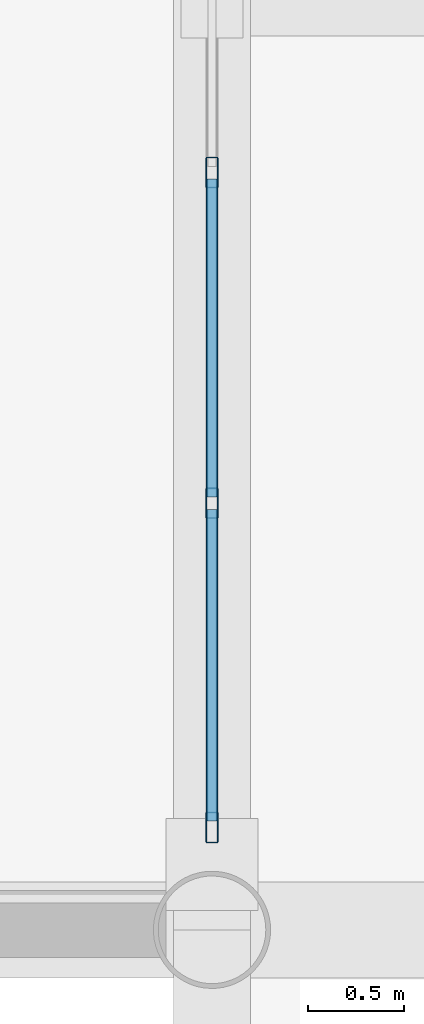
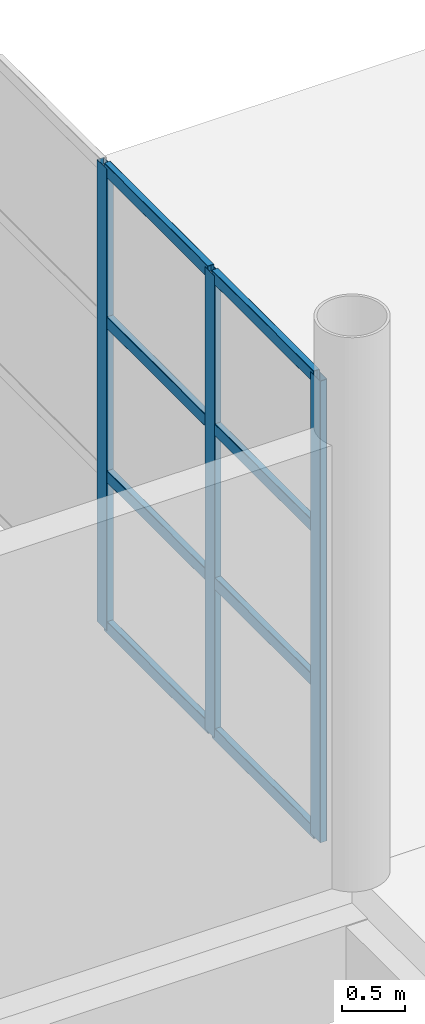
# One storey, part 76 of 175: 11 members, 1 element without a shape of its own.
"""IFC4 building model written with IfcOpenShell, lengths in metres."""

from ifc_helpers import new_model, si_unit, direction, frame, origin, origin_2d, place, context, subcontext, project, spatial, hollow_rectangle, extrude, material, material_profile, profile_set, type_object, element, aggregate, save


model = new_model("IFC4")

# Units and contexts
model_context = context("Model", 3, precision=1e-05, world=origin(), true_north=direction((0.0, 1.0)))
body_context = subcontext(model_context, "Body", "Model", "MODEL_VIEW")
ifc_project = project(units=[si_unit("LENGTHUNIT", "METRE"), si_unit("AREAUNIT", "SQUARE_METRE"), si_unit("VOLUMEUNIT", "CUBIC_METRE"), si_unit("PLANEANGLEUNIT", "RADIAN"), si_unit("MASSUNIT", "GRAM", prefix="KILO")], contexts=[model_context])

# Site, building, storey
site_placement = place(None, origin())
site = spatial("IfcSite", under=ifc_project, at=site_placement, CompositionType="ELEMENT")
building_placement = place(site_placement, origin())
building = spatial("IfcBuilding", under=site, at=building_placement, Name="Brelvane Convention Centre", CompositionType="ELEMENT")
storey_placement = place(building_placement, frame((0.0, 0.0, 5.39990234375)))
storey = spatial("IfcBuildingStorey", under=building, at=storey_placement, Name="L01", CompositionType="ELEMENT", Elevation=5.39990234375)

# Curtain wall, members
ifc_material_1 = material(Name="Anodised Aluminium Alloy 6063-T6", Category="aluminium")
curtain_wall_type = type_object("IfcCurtainWallType", Name="Curtain Wall CW-PAV", PredefinedType="USERDEFINED", material=ifc_material_1)
curtain_wall_placement = place(storey_placement, origin())
curtain_wall = element("IfcCurtainWall", 1, at=curtain_wall_placement, inside=storey, type_object=curtain_wall_type, Name="Curtain Wall CW-PAV L01-COURT-E-CW-L01", ObjectType="UNITISED", PredefinedType="USERDEFINED")
ifc_material_2 = material(Name="Anodised Aluminium Alloy 6063-T6", Category="aluminium")
ifc_material_profile_1 = material_profile(ifc_material_2, hollow_rectangle(XDim=0.06494140625, YDim=0.159912109375, WallThickness=0.00390625, InnerFilletRadius=0.00390625, OuterFilletRadius=0.008056640625, at=origin_2d()), Name="ALU-M 160x65x4.0")
ifc_profile_set_1 = profile_set([ifc_material_profile_1], Name="Anodised Aluminium Alloy 6063-T6")
member_type_1 = type_object("IfcMemberType", Name="Curtain Mullion CW-M3", PredefinedType="MULLION", material=ifc_profile_set_1)
member_1_placement = place(storey_placement, frame((142.800048828125, 100.132568359375, 0.0), z_axis=(0.0, 0.0, 1.0), x_axis=(-1.0, 0.0, 0.0)))
member_1 = element("IfcMember", 2, at=member_1_placement, type_object=member_type_1, Name="CW-PAV mullion 1", PredefinedType="MULLION", context=body_context, shape_type="SweptSolid", body=[
    extrude(hollow_rectangle(XDim=0.06494140625, YDim=0.159912109375, WallThickness=0.00390625, InnerFilletRadius=0.00390625, OuterFilletRadius=0.008056640625, at=origin_2d()), origin(), (0.0, 0.0, 1.0), 4.5),
])
member_2_placement = place(storey_placement, frame((142.800048828125, 101.820068359375, 0.0), z_axis=(0.0, 0.0, 1.0), x_axis=(-1.0, 0.0, 0.0)))
member_2 = element("IfcMember", 3, at=member_2_placement, type_object=member_type_1, Name="CW-PAV mullion 2", PredefinedType="MULLION", context=body_context, shape_type="SweptSolid", body=[
    extrude(hollow_rectangle(XDim=0.06494140625, YDim=0.159912109375, WallThickness=0.00390625, InnerFilletRadius=0.00390625, OuterFilletRadius=0.008056640625, at=origin_2d()), origin(), (0.0, 0.0, 1.0), 4.5),
])
member_3_placement = place(storey_placement, frame((142.800048828125, 103.5400390625, 0.0), z_axis=(0.0, 0.0, 1.0), x_axis=(-1.0, 0.0, 0.0)))
member_3 = element("IfcMember", 4, at=member_3_placement, type_object=member_type_1, Name="CW-PAV mullion 3", PredefinedType="MULLION", context=body_context, shape_type="SweptSolid", body=[
    extrude(hollow_rectangle(XDim=0.06494140625, YDim=0.159912109375, WallThickness=0.00390625, InnerFilletRadius=0.00390625, OuterFilletRadius=0.008056640625, at=origin_2d()), origin(), (0.0, 0.0, 1.0), 4.5),
])
ifc_material_3 = material(Name="Anodised Aluminium Alloy 6063-T6", Category="aluminium")
ifc_material_profile_2 = material_profile(ifc_material_3, hollow_rectangle(XDim=0.06005859375, YDim=0.1201171875, WallThickness=0.00390625, InnerFilletRadius=0.00390625, OuterFilletRadius=0.008056640625, at=origin_2d()), Name="ALU-T 120x60x4.0")
ifc_profile_set_2 = profile_set([ifc_material_profile_2], Name="Anodised Aluminium Alloy 6063-T6")
member_type_2 = type_object("IfcMemberType", Name="Curtain Transom CW-T3", PredefinedType="USERDEFINED", material=ifc_profile_set_2)
member_4_placement = place(storey_placement, frame((142.800048828125, 100.1650390625, 0.030029296875), z_axis=(0.0, 1.0, 0.0), x_axis=(-1.0, 0.0, 0.0)))
member_4 = element("IfcMember", 5, at=member_4_placement, type_object=member_type_2, Name="CW-PAV transom 1.1", ObjectType="TRANSOM", PredefinedType="USERDEFINED", context=body_context, shape_type="SweptSolid", body=[
    extrude(hollow_rectangle(XDim=0.06005859375, YDim=0.1201171875, WallThickness=0.00390625, InnerFilletRadius=0.00390625, OuterFilletRadius=0.008056640625, at=origin_2d()), origin(), (0.0, 0.0, 1.0), 1.62255859375),
])
member_5_placement = place(storey_placement, frame((142.800048828125, 100.1650390625, 1.5), z_axis=(0.0, 1.0, 0.0), x_axis=(-1.0, 0.0, 0.0)))
member_5 = element("IfcMember", 6, at=member_5_placement, type_object=member_type_2, Name="CW-PAV transom 1.2", ObjectType="TRANSOM", PredefinedType="USERDEFINED", context=body_context, shape_type="SweptSolid", body=[
    extrude(hollow_rectangle(XDim=0.06005859375, YDim=0.1201171875, WallThickness=0.00390625, InnerFilletRadius=0.00390625, OuterFilletRadius=0.008056640625, at=origin_2d()), origin(), (0.0, 0.0, 1.0), 1.62255859375),
])
member_6_placement = place(storey_placement, frame((142.800048828125, 100.1650390625, 3.0), z_axis=(0.0, 1.0, 0.0), x_axis=(-1.0, 0.0, 0.0)))
member_6 = element("IfcMember", 7, at=member_6_placement, type_object=member_type_2, Name="CW-PAV transom 1.3", ObjectType="TRANSOM", PredefinedType="USERDEFINED", context=body_context, shape_type="SweptSolid", body=[
    extrude(hollow_rectangle(XDim=0.06005859375, YDim=0.1201171875, WallThickness=0.00390625, InnerFilletRadius=0.00390625, OuterFilletRadius=0.008056640625, at=origin_2d()), origin(), (0.0, 0.0, 1.0), 1.62255859375),
])
member_7_placement = place(storey_placement, frame((142.800048828125, 100.1650390625, 4.47021484375), z_axis=(0.0, 1.0, 0.0), x_axis=(-1.0, 0.0, 0.0)))
member_7 = element("IfcMember", 8, at=member_7_placement, type_object=member_type_2, Name="CW-PAV transom 1.4", ObjectType="TRANSOM", PredefinedType="USERDEFINED", context=body_context, shape_type="SweptSolid", body=[
    extrude(hollow_rectangle(XDim=0.06005859375, YDim=0.1201171875, WallThickness=0.00390625, InnerFilletRadius=0.00390625, OuterFilletRadius=0.008056640625, at=origin_2d()), origin(), (0.0, 0.0, 1.0), 1.62255859375),
])
member_8_placement = place(storey_placement, frame((142.800048828125, 101.8525390625, 0.030029296875), z_axis=(0.0, 1.0, 0.0), x_axis=(-1.0, 0.0, 0.0)))
member_8 = element("IfcMember", 9, at=member_8_placement, type_object=member_type_2, Name="CW-PAV transom 2.1", ObjectType="TRANSOM", PredefinedType="USERDEFINED", context=body_context, shape_type="SweptSolid", body=[
    extrude(hollow_rectangle(XDim=0.06005859375, YDim=0.1201171875, WallThickness=0.00390625, InnerFilletRadius=0.00390625, OuterFilletRadius=0.008056640625, at=origin_2d()), origin(), (0.0, 0.0, 1.0), 1.655029296875),
])
member_9_placement = place(storey_placement, frame((142.800048828125, 101.8525390625, 1.5), z_axis=(0.0, 1.0, 0.0), x_axis=(-1.0, 0.0, 0.0)))
member_9 = element("IfcMember", 10, at=member_9_placement, type_object=member_type_2, Name="CW-PAV transom 2.2", ObjectType="TRANSOM", PredefinedType="USERDEFINED", context=body_context, shape_type="SweptSolid", body=[
    extrude(hollow_rectangle(XDim=0.06005859375, YDim=0.1201171875, WallThickness=0.00390625, InnerFilletRadius=0.00390625, OuterFilletRadius=0.008056640625, at=origin_2d()), origin(), (0.0, 0.0, 1.0), 1.655029296875),
])
member_10_placement = place(storey_placement, frame((142.800048828125, 101.8525390625, 3.0), z_axis=(0.0, 1.0, 0.0), x_axis=(-1.0, 0.0, 0.0)))
member_10 = element("IfcMember", 11, at=member_10_placement, type_object=member_type_2, Name="CW-PAV transom 2.3", ObjectType="TRANSOM", PredefinedType="USERDEFINED", context=body_context, shape_type="SweptSolid", body=[
    extrude(hollow_rectangle(XDim=0.06005859375, YDim=0.1201171875, WallThickness=0.00390625, InnerFilletRadius=0.00390625, OuterFilletRadius=0.008056640625, at=origin_2d()), origin(), (0.0, 0.0, 1.0), 1.655029296875),
])
member_11_placement = place(storey_placement, frame((142.800048828125, 101.8525390625, 4.47021484375), z_axis=(0.0, 1.0, 0.0), x_axis=(-1.0, 0.0, 0.0)))
member_11 = element("IfcMember", 12, at=member_11_placement, type_object=member_type_2, Name="CW-PAV transom 2.4", ObjectType="TRANSOM", PredefinedType="USERDEFINED", context=body_context, shape_type="SweptSolid", body=[
    extrude(hollow_rectangle(XDim=0.06005859375, YDim=0.1201171875, WallThickness=0.00390625, InnerFilletRadius=0.00390625, OuterFilletRadius=0.008056640625, at=origin_2d()), origin(), (0.0, 0.0, 1.0), 1.655029296875),
])
aggregate(curtain_wall, [member_1, member_2, member_3, member_4, member_5, member_6, member_7, member_8, member_9, member_10, member_11])

save(model, "model.ifc")
